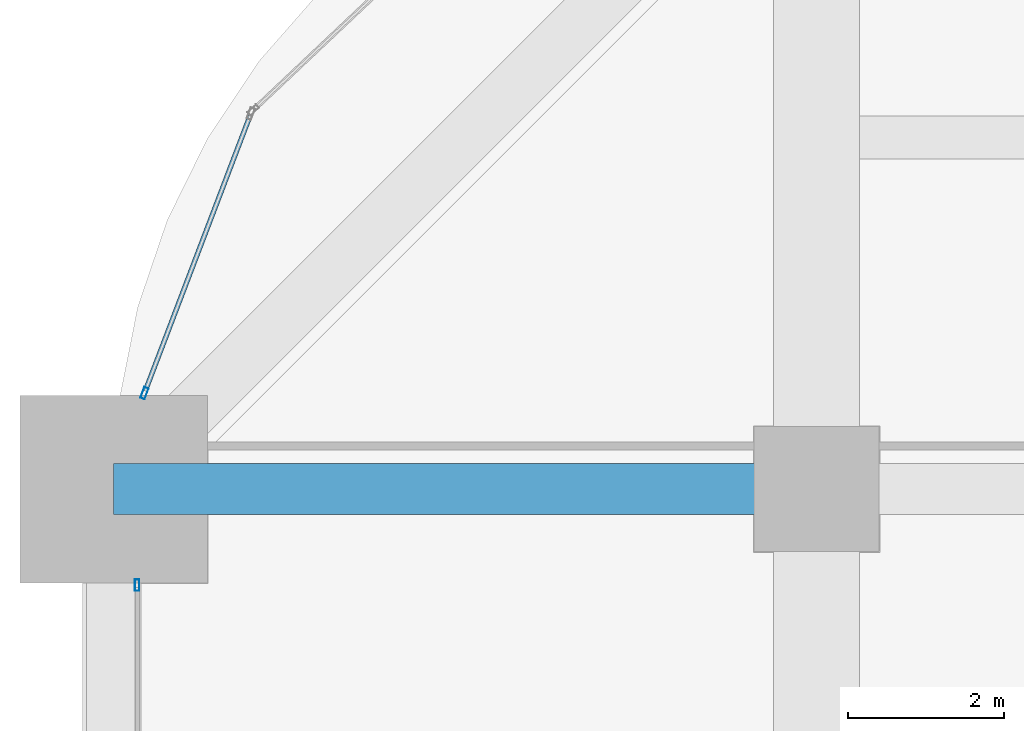
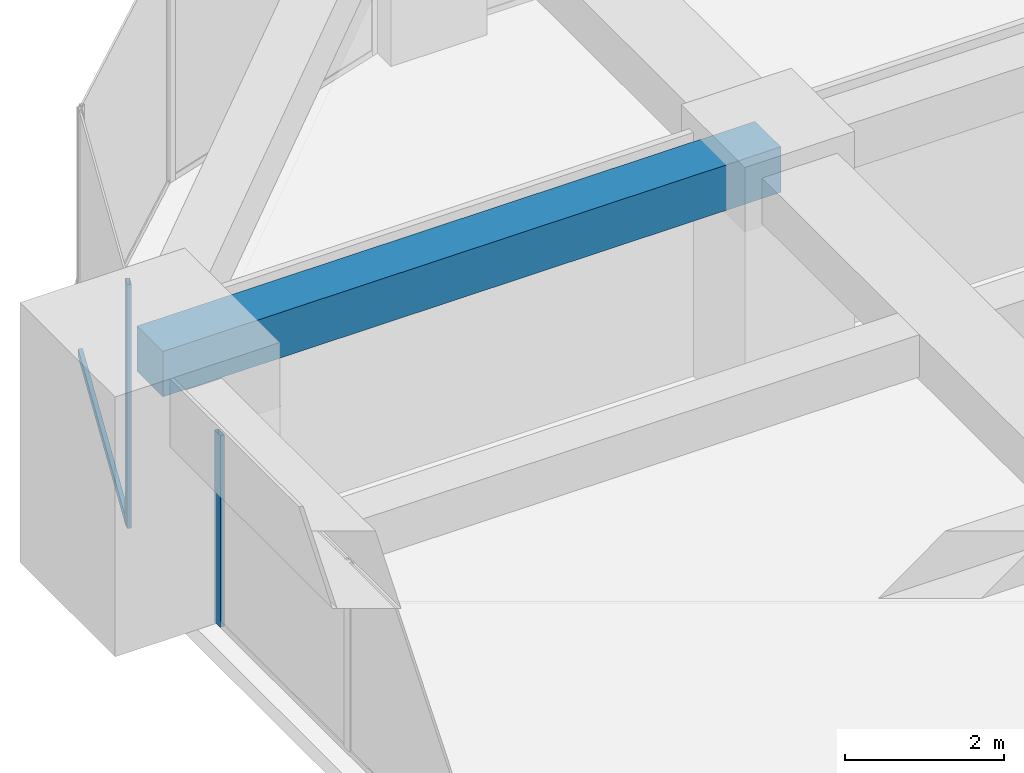
# One storey, part 20 of 33: 3 members, 1 beam, 2 elements without a shape of their own.
"""IFC4 building model written with IfcOpenShell, lengths in metres."""

from ifc_helpers import new_model, si_unit, direction, frame, origin, origin_2d, place, context, subcontext, project, spatial, rectangle, hollow_rectangle, extrude, material, material_profile, profile_set, type_object, element, aggregate, save


model = new_model("IFC4")

# Units and contexts
model_context = context("Model", 3, precision=1e-05, world=origin(), true_north=direction((0.0, 1.0)))
body_context = subcontext(model_context, "Body", "Model", "MODEL_VIEW")
ifc_project = project(units=[si_unit("LENGTHUNIT", "METRE"), si_unit("AREAUNIT", "SQUARE_METRE"), si_unit("VOLUMEUNIT", "CUBIC_METRE"), si_unit("PLANEANGLEUNIT", "RADIAN"), si_unit("MASSUNIT", "GRAM", prefix="KILO")], contexts=[model_context])

# Site, building, storey
site_placement = place(None, origin())
site = spatial("IfcSite", under=ifc_project, at=site_placement, CompositionType="ELEMENT")
building_placement = place(site_placement, origin())
building = spatial("IfcBuilding", under=site, at=building_placement, Name="Zorevar Civic Tower", CompositionType="ELEMENT")
storey_placement = place(building_placement, frame((0.0, 0.0, 178.199951171875)))
storey = spatial("IfcBuildingStorey", under=building, at=storey_placement, Name="L43", CompositionType="ELEMENT", Elevation=178.199951171875)

# Beam
ifc_material_1 = material(Name="Concrete C50/60", Category="concrete")
ifc_material_profile_1 = material_profile(ifc_material_1, rectangle(XDim=0.64990234375, YDim=0.699951171875, at=origin_2d()), Name="RC 650x700")
ifc_profile_set_1 = profile_set([ifc_material_profile_1], Name="Concrete C50/60")
beam_type = type_object("IfcBeamType", Name="Beam RC 650x700", PredefinedType="BEAM", material=ifc_profile_set_1)
beam_placement = place(storey_placement, frame((0.0, 36.0, 3.400146484375), z_axis=(1.0, 0.0, 0.0), x_axis=(0.0, 1.0, 0.0)))
element("IfcBeam", 1, at=beam_placement, inside=storey, type_object=beam_type, Name="Girder L44", PredefinedType="BEAM", context=body_context, shape_type="SweptSolid", body=[
    extrude(rectangle(XDim=0.64990234375, YDim=0.699951171875, at=origin_2d()), origin(), (0.0, 0.0, 1.0), 9.0),
])

# Curtain wall, member
ifc_material_2 = material(Name="Dark grey solar-control glass in black aluminium frame", Category="aluminium")
curtain_wall_type = type_object("IfcCurtainWallType", Name="Curtain wall CW4 high zone", PredefinedType="NOTDEFINED", material=ifc_material_2)
curtain_wall_1_placement = place(storey_placement, origin())
curtain_wall_1 = element("IfcCurtainWall", 2, at=curtain_wall_1_placement, inside=storey, type_object=curtain_wall_type, Name="CW4 L43", PredefinedType="NOTDEFINED")
ifc_material_3 = material(Name="Aluminium, black anodised", Category="aluminium")
ifc_material_profile_2 = material_profile(ifc_material_3, hollow_rectangle(XDim=0.06005859375, YDim=0.14990234375, WallThickness=0.00390625, at=origin_2d()), Name="AL 150x60x4")
ifc_profile_set_2 = profile_set([ifc_material_profile_2], Name="Aluminium, black anodised")
member_type_1 = type_object("IfcMemberType", Name="CW4 mullion AL 150x60x4", PredefinedType="MULLION", material=ifc_profile_set_2)
member_1_placement = place(storey_placement, frame((0.300048828125, 34.77001953125, 0.0), z_axis=(0.0, 0.0, 1.0), x_axis=(-1.0, 0.0, 0.0)))
member_1 = element("IfcMember", 3, at=member_1_placement, type_object=member_type_1, Name="CW4 mullion 3", PredefinedType="MULLION", context=body_context, shape_type="SweptSolid", body=[
    extrude(hollow_rectangle(XDim=0.06005859375, YDim=0.14990234375, WallThickness=0.00390625, at=origin_2d()), origin(), (0.0, 0.0, 1.0), 2.949951171875),
])
aggregate(curtain_wall_1, [member_1])

# Curtain wall, members
curtain_wall_2_placement = place(storey_placement, origin())
curtain_wall_2 = element("IfcCurtainWall", 4, at=curtain_wall_2_placement, inside=storey, type_object=curtain_wall_type, Name="CW4 L43", PredefinedType="NOTDEFINED")
member_2_placement = place(storey_placement, frame((0.393798828125, 37.22802734375, 0.0), z_axis=(0.0, 0.0, 1.0), x_axis=(0.93458842801, -0.355730895803, 0.0)))
member_2 = element("IfcMember", 5, at=member_2_placement, type_object=member_type_1, Name="CW4 mullion 2", PredefinedType="MULLION", context=body_context, shape_type="SweptSolid", body=[
    extrude(hollow_rectangle(XDim=0.06005859375, YDim=0.14990234375, WallThickness=0.00390625, at=origin_2d()), origin(), (0.0, 0.0, 1.0), 3.75),
])
ifc_material_4 = material(Name="Aluminium, black anodised", Category="aluminium")
ifc_material_profile_3 = material_profile(ifc_material_4, hollow_rectangle(XDim=0.06005859375, YDim=0.1201171875, WallThickness=0.0029296875, at=origin_2d()), Name="AL 120x60x3")
ifc_profile_set_3 = profile_set([ifc_material_profile_3], Name="Aluminium, black anodised")
member_type_2 = type_object("IfcMemberType", Name="CW4 transom AL 120x60x3", PredefinedType="USERDEFINED", material=ifc_profile_set_3)
member_3_placement = place(storey_placement, frame((1.74462890625, 40.77685546875, 0.030029296875), z_axis=(-0.355728511406, -0.934589335576, 0.0), x_axis=(0.934589335576, -0.355728511406, 0.0)))
member_3 = element("IfcMember", 6, at=member_3_placement, type_object=member_type_2, Name="CW4 sill transom", ObjectType="TRANSOM", PredefinedType="USERDEFINED", context=body_context, shape_type="SweptSolid", body=[
    extrude(hollow_rectangle(XDim=0.06005859375, YDim=0.1201171875, WallThickness=0.0029296875, at=origin_2d()), origin(), (0.0, 0.0, 1.0), 3.76708984375),
])
aggregate(curtain_wall_2, [member_2, member_3])

save(model, "model.ifc")
